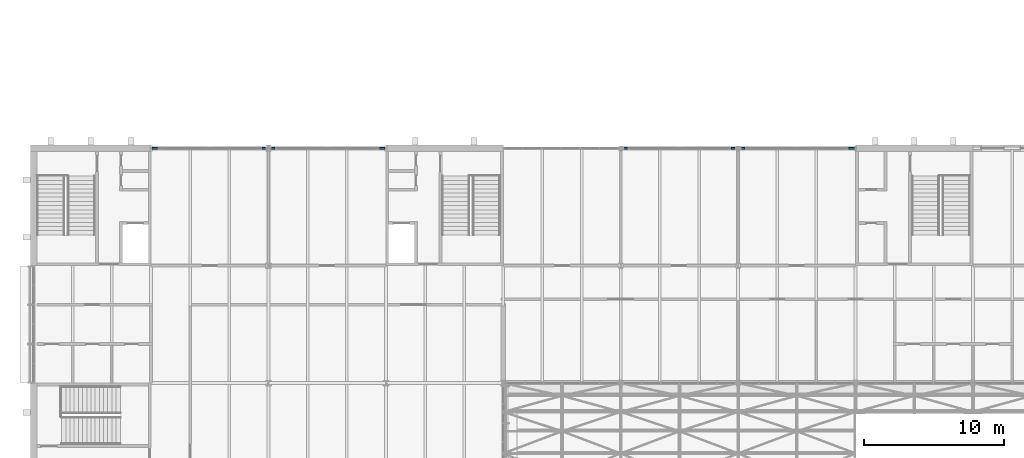
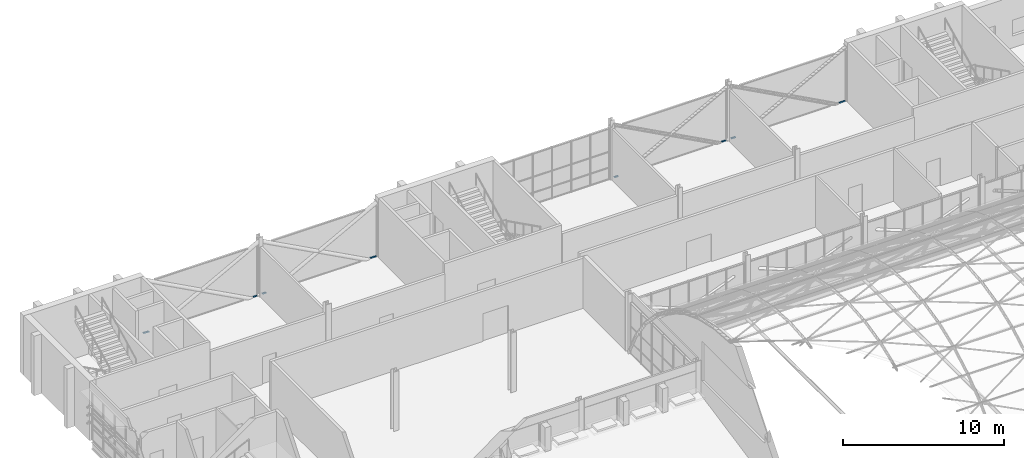
# One storey, part 66 of 121: 8 members, 4 elements without a shape of their own.
"""IFC4 building model written with IfcOpenShell, lengths in metres."""

import ifcopenshell
import ifcopenshell.guid

model = None  # the IFC model being written
_history = None  # IfcOwnerHistory: only IFC2X3 demands one
_inside = {}  # id of a spatial element -> (the spatial element, [elements in it])
_under = {}  # id of a project, library or spatial element -> (it, [spatial elements below it])
_declared = {}  # id of a project -> (the project, [libraries it declares])
_typed = {}  # id of a type object -> (the type object, [elements of that type])
_made_of = {}  # id of a material, layer set ... -> (it, [elements and type objects made of it])


def new_model(schema):
    """Start an empty IFC model of exactly this schema.

    Asked for "IFC4X3", IfcOpenShell would pick the latest addendum, in which some entities
    have other attributes; the version numbers below select the first issue.
    IFC2X3 requires an IfcOwnerHistory on every rooted entity: one is made here for all.
    """
    global model, _history
    if schema == "IFC4X3":
        model = ifcopenshell.file(schema_version=(4, 3, 0, 0))
    else:
        model = ifcopenshell.file(schema=schema)
    _inside.clear()
    _under.clear()
    _declared.clear()
    _typed.clear()
    _made_of.clear()
    _history = None
    if model.schema == "IFC2X3":
        org = make("IfcOrganization", Name="unknown")
        user = make(
            "IfcPersonAndOrganization",
            ThePerson=make("IfcPerson", FamilyName="unknown"),
            TheOrganization=org,
        )
        app = make(
            "IfcApplication",
            ApplicationDeveloper=org,
            Version="unknown",
            ApplicationFullName="unknown",
            ApplicationIdentifier="unknown",
        )
        _history = make(
            "IfcOwnerHistory",
            OwningUser=user,
            OwningApplication=app,
            ChangeAction="ADDED",
            CreationDate=0,
        )
    return model


def make(cls, **values):
    """One entity of the class cls with the attributes given. An attribute that is None is left unset."""
    return model.create_entity(
        cls, **{name: value for name, value in values.items() if value is not None}
    )


def rooted(cls, **values):
    """An entity with a GlobalId (a new one), such as an element, a storey or a relation."""
    return make(cls, GlobalId=ifcopenshell.guid.new(), OwnerHistory=_history, **values)


def si_unit(unit_type, name, prefix=None):
    """IfcSIUnit, for example si_unit("LENGTHUNIT", "METRE", prefix="MILLI")."""
    return make("IfcSIUnit", UnitType=unit_type, Prefix=prefix, Name=name)


def assignment(units):
    """IfcUnitAssignment: the units of a project."""
    return None if units is None else make("IfcUnitAssignment", Units=units)


def point(xyz):
    """IfcCartesianPoint."""
    return None if xyz is None else make("IfcCartesianPoint", Coordinates=xyz)


def direction(xyz):
    """IfcDirection."""
    return None if xyz is None else make("IfcDirection", DirectionRatios=xyz)


def frame(location, z_axis=None, x_axis=None):
    """IfcAxis2Placement3D, a coordinate frame: its origin and axes. An axis left out is left unset."""
    return make(
        "IfcAxis2Placement3D",
        Location=point(location),
        Axis=direction(z_axis),
        RefDirection=direction(x_axis),
    )


def frame_2d(location, x_axis=None):
    """IfcAxis2Placement2D, a coordinate frame in the plane: its origin and x axis."""
    return make(
        "IfcAxis2Placement2D", Location=point(location), RefDirection=direction(x_axis)
    )


def origin():
    """The frame at (0, 0, 0) with its axes left unset."""
    return frame((0.0, 0.0, 0.0))


def origin_2d():
    """The frame at (0, 0) in the plane with its x axis left unset."""
    return frame_2d((0.0, 0.0))


def place(relative_to, where):
    """IfcLocalPlacement: puts the frame where relative to a parent placement (None: the world)."""
    return make(
        "IfcLocalPlacement", PlacementRelTo=relative_to, RelativePlacement=where
    )


def context(
    kind, dimensions, precision=None, world=None, true_north=None, identifier=None
):
    """IfcGeometricRepresentationContext, for example the 3D "Model" context."""
    return make(
        "IfcGeometricRepresentationContext",
        ContextIdentifier=identifier,
        ContextType=kind,
        CoordinateSpaceDimension=dimensions,
        Precision=precision,
        WorldCoordinateSystem=world,
        TrueNorth=true_north,
    )


def subcontext(parent, identifier, kind, view, scale=None):
    """IfcGeometricRepresentationSubContext, for example "Body" below "Model"."""
    return make(
        "IfcGeometricRepresentationSubContext",
        ContextIdentifier=identifier,
        ContextType=kind,
        ParentContext=parent,
        TargetScale=scale,
        TargetView=view,
    )


def project(units=None, contexts=None):
    """IfcProject with its units and contexts."""
    return rooted(
        "IfcProject",
        Name="project",
        RepresentationContexts=contexts,
        UnitsInContext=assignment(units),
    )


def spatial(cls, under=None, at=None, **own):
    """A site, building, storey or space (cls), placed at a placement, below another one or the project."""
    s = rooted(cls, ObjectPlacement=at, **own)
    if under is not None:
        _under.setdefault(under.id(), (under, []))[1].append(s)
    return s


def profile(cls, at=None, kind="AREA", **sizes):
    """A parametric profile (cls). Its sizes go by their IFC names, for example OverallWidth=200.0."""
    return make(cls, ProfileType=kind, Position=at, **sizes)


def rectangle(**sizes):
    """IfcRectangleProfileDef."""
    return profile("IfcRectangleProfileDef", **sizes)


def extrude(swept, where, along, depth):
    """IfcExtrudedAreaSolid: the profile swept, set in the frame where, extruded along a direction by depth."""
    return make(
        "IfcExtrudedAreaSolid",
        SweptArea=swept,
        Position=where,
        ExtrudedDirection=direction(along),
        Depth=depth,
    )


def shape(context_of_items, identifier, shape_type, items):
    """IfcShapeRepresentation: the items that make up one representation, for example the "Body"."""
    return make(
        "IfcShapeRepresentation",
        ContextOfItems=context_of_items,
        RepresentationIdentifier=identifier,
        RepresentationType=shape_type,
        Items=items,
    )


def material(Name=None, Category=None):
    """IfcMaterial."""
    return make("IfcMaterial", Name=Name, Category=Category)


def layer(
    of_material, thickness, ventilated=None, Name=None, Category=None, Priority=None
):
    """IfcMaterialLayer: one layer of a wall or slab, of a material (None: an air gap)."""
    return make(
        "IfcMaterialLayer",
        Material=of_material,
        LayerThickness=thickness,
        IsVentilated=ventilated,
        Name=Name,
        Category=Category,
        Priority=Priority,
    )


def layer_set(layers, Name=None):
    """IfcMaterialLayerSet."""
    return make("IfcMaterialLayerSet", MaterialLayers=layers, LayerSetName=Name)


def material_profile(
    of_material, cross_section, Name=None, Category=None, Priority=None
):
    """IfcMaterialProfile: a cross section and its material."""
    return make(
        "IfcMaterialProfile",
        Name=Name,
        Material=of_material,
        Profile=cross_section,
        Priority=Priority,
        Category=Category,
    )


def profile_set(profiles, Name=None, composite=None):
    """IfcMaterialProfileSet."""
    return make(
        "IfcMaterialProfileSet",
        Name=Name,
        MaterialProfiles=profiles,
        CompositeProfile=composite,
    )


def made_of(thing, what):
    """Note that an element or type object is made of a material, layer set ...; save() writes the relation."""
    if what is not None:
        _made_of.setdefault(what.id(), (what, []))[1].append(thing)
    return thing


def type_object(cls, material=None, **own):
    """A type object (cls), such as IfcWallType, which elements share."""
    return made_of(rooted(cls, **own), material)


def element(
    cls,
    number,
    at=None,
    inside=None,
    cuts=None,
    type_object=None,
    material=None,
    context=None,
    identifier="Body",
    shape_type=None,
    held_by="IfcProductDefinitionShape",
    body=None,
    shapes=None,
    **own,
):
    """One element of the class cls, such as IfcWall. Its Tag is "e" and its number.

    at: its placement. inside: the storey or other place that contains it. cuts: it is an
    opening in that element (IfcRelVoidsElement). A single representation is given by context,
    identifier, shape_type and body (its items); several are given by shapes. held_by: the class
    of the entity that holds the representations. save() writes the other relations.
    """
    e = rooted(cls, Tag="e%d" % number, ObjectPlacement=at, **own)
    if body is not None:
        shapes = [shape(context, identifier, shape_type, body)]
    if shapes is not None:
        e.Representation = make(held_by, Representations=shapes)
    if inside is not None:
        _inside.setdefault(inside.id(), (inside, []))[1].append(e)
    if cuts is not None:
        rooted(
            "IfcRelVoidsElement", RelatingBuildingElement=cuts, RelatedOpeningElement=e
        )
    if type_object is not None:
        _typed.setdefault(type_object.id(), (type_object, []))[1].append(e)
    return made_of(e, material)


def aggregate(whole, parts):
    """IfcRelAggregates: a whole, such as a stair, and the parts it consists of."""
    return rooted("IfcRelAggregates", RelatingObject=whole, RelatedObjects=parts)


def save(model, path):
    """Write the relations noted so far, then the file.

    IfcRelAggregates (storeys below a building ...), IfcRelContainedInSpatialStructure (elements
    in a storey), IfcRelDefinesByType, IfcRelAssociatesMaterial and IfcRelDeclares: one each for
    every whole, place, type object, material and project.
    """
    for whole, parts in _under.values():
        aggregate(whole, parts)
    for where, things in _inside.values():
        rooted(
            "IfcRelContainedInSpatialStructure",
            RelatedElements=things,
            RelatingStructure=where,
        )
    for kind, things in _typed.values():
        rooted("IfcRelDefinesByType", RelatedObjects=things, RelatingType=kind)
    for what, things in _made_of.values():
        rooted("IfcRelAssociatesMaterial", RelatedObjects=things, RelatingMaterial=what)
    for by, libraries in _declared.values():
        rooted("IfcRelDeclares", RelatingContext=by, RelatedDefinitions=libraries)
    model.write(path)


model = new_model("IFC4")

# Units and contexts
model_context = context("Model", 3, precision=1e-05, world=origin(), true_north=direction((0.0, 1.0)))
body_context = subcontext(model_context, "Body", "Model", "MODEL_VIEW")
ifc_project = project(units=[si_unit("LENGTHUNIT", "METRE"), si_unit("AREAUNIT", "SQUARE_METRE"), si_unit("VOLUMEUNIT", "CUBIC_METRE"), si_unit("PLANEANGLEUNIT", "RADIAN"), si_unit("MASSUNIT", "GRAM", prefix="KILO")], contexts=[model_context])

# Site, building, storey
site_placement = place(None, origin())
site = spatial("IfcSite", under=ifc_project, at=site_placement, CompositionType="ELEMENT")
building_placement = place(site_placement, origin())
building = spatial("IfcBuilding", under=site, at=building_placement, Name="Ardhachandra Cancer Care Centre", CompositionType="ELEMENT")
storey_placement = place(building_placement, frame((0.0, 0.0, 9.0)))
storey = spatial("IfcBuildingStorey", under=building, at=storey_placement, Name="L02", CompositionType="ELEMENT", Elevation=9.0)

# Curtain wall, members
ifc_material_1 = material(Name="Aluminium extrusion", Category="aluminium")
ifc_layer = layer(ifc_material_1, 0.14990234375)
ifc_layer_set = layer_set([ifc_layer], Name="Aluminium extrusion")
curtain_wall_type = type_object("IfcCurtainWallType", Name="Curtain wall run", PredefinedType="NOTDEFINED", material=ifc_layer_set)
curtain_wall_1_placement = place(storey_placement, origin())
curtain_wall_1 = element("IfcCurtainWall", 1, at=curtain_wall_1_placement, inside=storey, type_object=curtain_wall_type, Name="Curtain wall L02 n/0019200_0096600", PredefinedType="NOTDEFINED")
ifc_material_2 = material(Name="Aluminium extrusion", Category="aluminium")
ifc_material_profile = material_profile(ifc_material_2, rectangle(XDim=0.1201171875, YDim=0.06005859375, at=origin_2d()), Name="Curtain wall transom 60 x 120")
ifc_profile_set = profile_set([ifc_material_profile], Name="Aluminium extrusion")
member_type = type_object("IfcMemberType", Name="Curtain wall transom 60 x 120", PredefinedType="USERDEFINED", material=ifc_profile_set)
member_1_placement = place(storey_placement, frame((19.260009765625, 96.60009765625, 0.030029296875), z_axis=(1.0, 0.0, 0.0), x_axis=(0.0, 1.0, 0.0)))
member_1 = element("IfcMember", 2, at=member_1_placement, type_object=member_type, Name="CW transom 1.1", ObjectType="TRANSOM", PredefinedType="USERDEFINED", context=body_context, shape_type="SweptSolid", body=[
    extrude(rectangle(XDim=0.1201171875, YDim=0.06005859375, at=origin_2d()), origin(), (0.0, 0.0, 1.0), 0.3955078125),
])
member_2_placement = place(storey_placement, frame((27.14453125, 96.60009765625, 0.030029296875), z_axis=(1.0, 0.0, 0.0), x_axis=(0.0, 1.0, 0.0)))
member_2 = element("IfcMember", 3, at=member_2_placement, type_object=member_type, Name="CW transom 1.1", ObjectType="TRANSOM", PredefinedType="USERDEFINED", context=body_context, shape_type="SweptSolid", body=[
    extrude(rectangle(XDim=0.1201171875, YDim=0.06005859375, at=origin_2d()), origin(), (0.0, 0.0, 1.0), 0.245361328125),
])
aggregate(curtain_wall_1, [member_1, member_2])

curtain_wall_2_placement = place(storey_placement, origin())
curtain_wall_2 = element("IfcCurtainWall", 4, at=curtain_wall_2_placement, inside=storey, type_object=curtain_wall_type, Name="Curtain wall L02 n/0027600_0096600", PredefinedType="NOTDEFINED")
member_3_placement = place(storey_placement, frame((27.81005859375, 96.60009765625, 0.030029296875), z_axis=(1.0, 0.0, 0.0), x_axis=(0.0, 1.0, 0.0)))
member_3 = element("IfcMember", 5, at=member_3_placement, type_object=member_type, Name="CW transom 1.1", ObjectType="TRANSOM", PredefinedType="USERDEFINED", context=body_context, shape_type="SweptSolid", body=[
    extrude(rectangle(XDim=0.1201171875, YDim=0.06005859375, at=origin_2d()), origin(), (0.0, 0.0, 1.0), 0.245361328125),
])
member_4_placement = place(storey_placement, frame((35.54443359375, 96.60009765625, 0.030029296875), z_axis=(1.0, 0.0, 0.0), x_axis=(0.0, 1.0, 0.0)))
member_4 = element("IfcMember", 6, at=member_4_placement, type_object=member_type, Name="CW transom 1.1", ObjectType="TRANSOM", PredefinedType="USERDEFINED", context=body_context, shape_type="SweptSolid", body=[
    extrude(rectangle(XDim=0.1201171875, YDim=0.06005859375, at=origin_2d()), origin(), (0.0, 0.0, 1.0), 0.3955078125),
])
aggregate(curtain_wall_2, [member_3, member_4])

curtain_wall_3_placement = place(storey_placement, origin())
curtain_wall_3 = element("IfcCurtainWall", 7, at=curtain_wall_3_placement, inside=storey, type_object=curtain_wall_type, Name="Curtain wall L02 n/0052800_0096600", PredefinedType="NOTDEFINED")
member_5_placement = place(storey_placement, frame((53.010009765625, 96.60009765625, 0.030029296875), z_axis=(1.0, 0.0, 0.0), x_axis=(0.0, 1.0, 0.0)))
member_5 = element("IfcMember", 8, at=member_5_placement, type_object=member_type, Name="CW transom 1.1", ObjectType="TRANSOM", PredefinedType="USERDEFINED", context=body_context, shape_type="SweptSolid", body=[
    extrude(rectangle(XDim=0.1201171875, YDim=0.06005859375, at=origin_2d()), origin(), (0.0, 0.0, 1.0), 0.27294921875),
])
member_6_placement = place(storey_placement, frame((60.717041015625, 96.60009765625, 0.030029296875), z_axis=(1.0, 0.0, 0.0), x_axis=(0.0, 1.0, 0.0)))
member_6 = element("IfcMember", 9, at=member_6_placement, type_object=member_type, Name="CW transom 1.1", ObjectType="TRANSOM", PredefinedType="USERDEFINED", context=body_context, shape_type="SweptSolid", body=[
    extrude(rectangle(XDim=0.1201171875, YDim=0.06005859375, at=origin_2d()), origin(), (0.0, 0.0, 1.0), 0.27294921875),
])
aggregate(curtain_wall_3, [member_5, member_6])

curtain_wall_4_placement = place(storey_placement, origin())
curtain_wall_4 = element("IfcCurtainWall", 10, at=curtain_wall_4_placement, inside=storey, type_object=curtain_wall_type, Name="Curtain wall L02 n/0061200_0096600", PredefinedType="NOTDEFINED")
member_7_placement = place(storey_placement, frame((61.409912109375, 96.60009765625, 0.030029296875), z_axis=(1.0, 0.0, 0.0), x_axis=(0.0, 1.0, 0.0)))
member_7 = element("IfcMember", 11, at=member_7_placement, type_object=member_type, Name="CW transom 1.1", ObjectType="TRANSOM", PredefinedType="USERDEFINED", context=body_context, shape_type="SweptSolid", body=[
    extrude(rectangle(XDim=0.1201171875, YDim=0.06005859375, at=origin_2d()), origin(), (0.0, 0.0, 1.0), 0.273193359375),
])
member_8_placement = place(storey_placement, frame((69.116943359375, 96.60009765625, 0.030029296875), z_axis=(1.0, 0.0, 0.0), x_axis=(0.0, 1.0, 0.0)))
member_8 = element("IfcMember", 12, at=member_8_placement, type_object=member_type, Name="CW transom 1.1", ObjectType="TRANSOM", PredefinedType="USERDEFINED", context=body_context, shape_type="SweptSolid", body=[
    extrude(rectangle(XDim=0.1201171875, YDim=0.06005859375, at=origin_2d()), origin(), (0.0, 0.0, 1.0), 0.423095703125),
])
aggregate(curtain_wall_4, [member_7, member_8])

save(model, "model.ifc")
